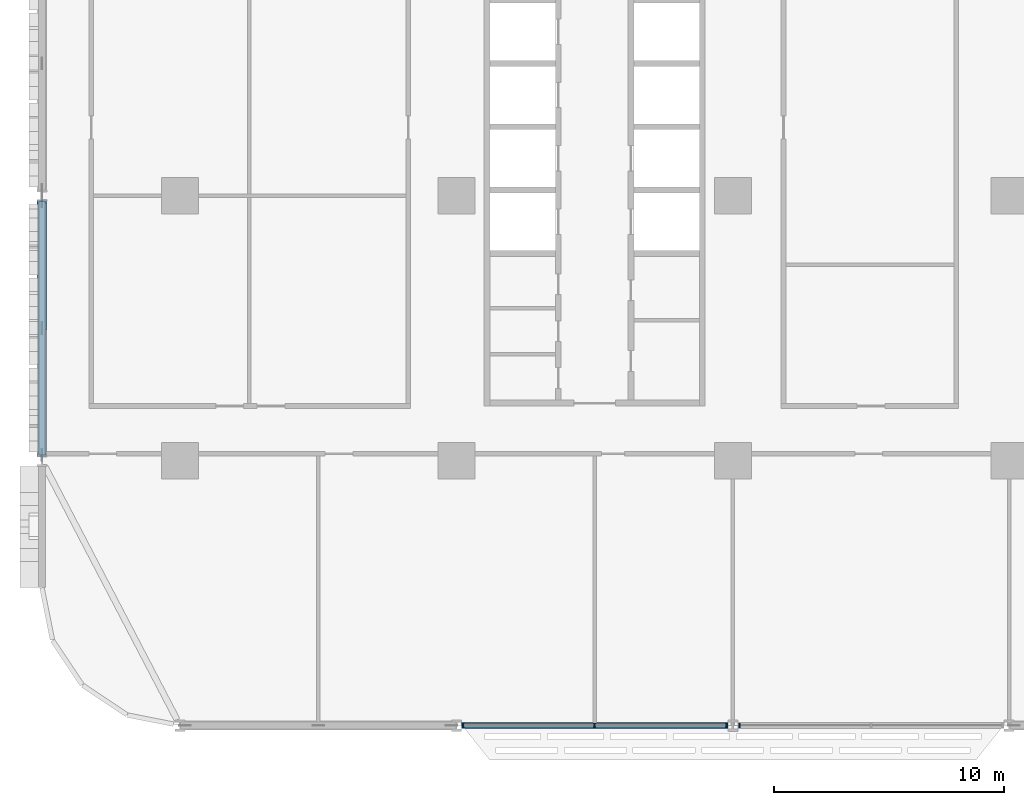
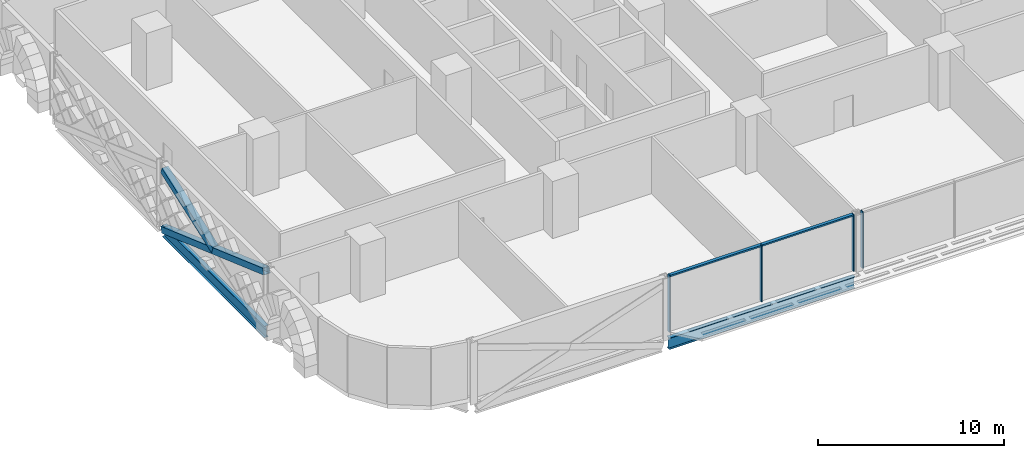
# One storey, part 2 of 29: 8 members, 2 beams, 2 elements without a shape of their own.
"""IFC4 building model written with IfcOpenShell, lengths in metres."""

from ifc_helpers import new_model, si_unit, direction, frame, origin, origin_2d, place, context, subcontext, project, spatial, rectangle, hollow_rectangle, i_section, extrude, material, material_profile, profile_set, type_object, element, aggregate, save


model = new_model("IFC4")

# Units and contexts
model_context = context("Model", 3, precision=1e-05, world=origin(), true_north=direction((0.0, 1.0)))
body_context = subcontext(model_context, "Body", "Model", "MODEL_VIEW")
ifc_project = project(units=[si_unit("LENGTHUNIT", "METRE"), si_unit("AREAUNIT", "SQUARE_METRE"), si_unit("VOLUMEUNIT", "CUBIC_METRE"), si_unit("PLANEANGLEUNIT", "RADIAN"), si_unit("MASSUNIT", "GRAM", prefix="KILO")], contexts=[model_context])

# Site, building, storey
site_placement = place(None, origin())
site = spatial("IfcSite", under=ifc_project, at=site_placement, CompositionType="ELEMENT")
building_placement = place(site_placement, origin())
building = spatial("IfcBuilding", under=site, at=building_placement, Name="Mahtab Terrace Research Tower", CompositionType="ELEMENT")
storey_placement = place(building_placement, frame((0.0, 0.0, 37.300048828125)))
storey = spatial("IfcBuildingStorey", under=building, at=storey_placement, Name="L08", CompositionType="ELEMENT", Elevation=37.300048828125)

# Members
ifc_material_1 = material(Name="Steel ASTM A500 Gr C", Category="steel")
ifc_material_profile_1 = material_profile(ifc_material_1, hollow_rectangle(XDim=0.406494140625, YDim=0.406494140625, WallThickness=0.01904296875, at=origin_2d()), Name="HSS16X16X3/4")
ifc_profile_set_1 = profile_set([ifc_material_profile_1], Name="Steel ASTM A500 Gr C")
member_type_1 = type_object("IfcMemberType", Name="HSS 16x16x3/4 brace XB161634", PredefinedType="BRACE", material=ifc_profile_set_1)
member_1_placement = place(storey_placement, frame((-48.0, -0.248779296875, -0.6298828125), z_axis=(0.0, -0.9421913705, 0.335075247304), x_axis=(1.0, 0.0, 0.0)))
element("IfcMember", 1, at=member_1_placement, inside=storey, type_object=member_type_1, Name="Exoskeleton brace L08 10 a", PredefinedType="BRACE", context=body_context, shape_type="SweptSolid", body=[
    extrude(hollow_rectangle(XDim=0.406494140625, YDim=0.406494140625, WallThickness=0.01904296875, at=origin_2d()), origin(), (0.0, 0.0, 1.0), 11.677490234375),
])
member_2_placement = place(storey_placement, frame((-48.0, -5.75, 1.326416015625), z_axis=(0.0, 0.942184769943, 0.335093806698), x_axis=(-1.0, 0.0, 0.0)))
element("IfcMember", 2, at=member_2_placement, inside=storey, type_object=member_type_1, Name="Exoskeleton brace L08 10 b2", PredefinedType="BRACE", context=body_context, shape_type="SweptSolid", body=[
    extrude(hollow_rectangle(XDim=0.406494140625, YDim=0.406494140625, WallThickness=0.01904296875, at=origin_2d()), origin(), (0.0, 0.0, 1.0), 5.8388671875),
])

# Curtain wall, members
ifc_material_2 = material(Name="Laboratory ribbon curtain wall")
curtain_wall_type = type_object("IfcCurtainWallType", Name="Laboratory ribbon curtain wall", PredefinedType="NOTDEFINED", material=ifc_material_2)
curtain_wall_1_placement = place(storey_placement, origin())
curtain_wall_1 = element("IfcCurtainWall", 3, at=curtain_wall_1_placement, inside=storey, type_object=curtain_wall_type, Name="EN.L08.13.23", PredefinedType="NOTDEFINED")
ifc_material_3 = material(Name="Natural anodised aluminium", Category="aluminium")
ifc_material_profile_2 = material_profile(ifc_material_3, rectangle(XDim=0.199951171875, YDim=0.06494140625, at=origin_2d()), Name="MULLION 65x200")
ifc_profile_set_2 = profile_set([ifc_material_profile_2], Name="Natural anodised aluminium")
member_type_2 = type_object("IfcMemberType", Name="Laboratory ribbon curtain wall mullion", PredefinedType="MULLION", material=ifc_profile_set_2)
member_3_placement = place(storey_placement, frame((-29.718505859375, -23.0, 0.0), z_axis=(0.0, 0.0, 1.0), x_axis=(0.0, 1.0, 0.0)))
member_3 = element("IfcMember", 4, at=member_3_placement, type_object=member_type_2, Name="CWL-1 mullion 1", PredefinedType="MULLION", context=body_context, shape_type="SweptSolid", body=[
    extrude(rectangle(XDim=0.199951171875, YDim=0.06494140625, at=origin_2d()), origin(), (0.0, 0.0, 1.0), 3.75),
])
member_4_placement = place(storey_placement, frame((-24.0, -23.0, 0.0), z_axis=(0.0, 0.0, 1.0), x_axis=(0.0, 1.0, 0.0)))
member_4 = element("IfcMember", 5, at=member_4_placement, type_object=member_type_2, Name="CWL-1 mullion 2", PredefinedType="MULLION", context=body_context, shape_type="SweptSolid", body=[
    extrude(rectangle(XDim=0.199951171875, YDim=0.06494140625, at=origin_2d()), origin(), (0.0, 0.0, 1.0), 3.75),
])
member_5_placement = place(storey_placement, frame((-18.281494140625, -23.0, 0.0), z_axis=(0.0, 0.0, 1.0), x_axis=(0.0, 1.0, 0.0)))
member_5 = element("IfcMember", 6, at=member_5_placement, type_object=member_type_2, Name="CWL-1 mullion 3", PredefinedType="MULLION", context=body_context, shape_type="SweptSolid", body=[
    extrude(rectangle(XDim=0.199951171875, YDim=0.06494140625, at=origin_2d()), origin(), (0.0, 0.0, 1.0), 3.75),
])

# Curtain wall, member
curtain_wall_2_placement = place(storey_placement, origin())
curtain_wall_2 = element("IfcCurtainWall", 7, at=curtain_wall_2_placement, inside=storey, type_object=curtain_wall_type, Name="EN.L08.13.24", PredefinedType="NOTDEFINED")
member_6_placement = place(storey_placement, frame((-17.718505859375, -23.0, 0.0), z_axis=(0.0, 0.0, 1.0), x_axis=(0.0, 1.0, 0.0)))
member_6 = element("IfcMember", 8, at=member_6_placement, type_object=member_type_2, Name="CWL-1 mullion 1", PredefinedType="MULLION", context=body_context, shape_type="SweptSolid", body=[
    extrude(rectangle(XDim=0.199951171875, YDim=0.06494140625, at=origin_2d()), origin(), (0.0, 0.0, 1.0), 3.75),
])
aggregate(curtain_wall_2, [member_6])

# Member
ifc_material_profile_3 = material_profile(ifc_material_3, rectangle(XDim=0.199951171875, YDim=0.10009765625, at=origin_2d()), Name="TRANSOM 100x200")
ifc_profile_set_3 = profile_set([ifc_material_profile_3], Name="Natural anodised aluminium")
member_type_3 = type_object("IfcMemberType", Name="Laboratory ribbon curtain wall transom", PredefinedType="USERDEFINED", material=ifc_profile_set_3)
member_7_placement = place(storey_placement, frame((-29.68603515625, -23.0, 3.699951171875), z_axis=(1.0, 0.0, 0.0), x_axis=(0.0, 1.0, 0.0)))
member_7 = element("IfcMember", 9, at=member_7_placement, type_object=member_type_3, Name="CWL-1 transom 1", ObjectType="TRANSOM", PredefinedType="USERDEFINED", context=body_context, shape_type="SweptSolid", body=[
    extrude(rectangle(XDim=0.199951171875, YDim=0.10009765625, at=origin_2d()), origin(), (0.0, 0.0, 1.0), 5.653564453125),
])

member_8_placement = place(storey_placement, frame((-23.967529296875, -23.0, 3.699951171875), z_axis=(1.0, 0.0, 0.0), x_axis=(0.0, 1.0, 0.0)))
member_8 = element("IfcMember", 10, at=member_8_placement, type_object=member_type_3, Name="CWL-1 transom 2", ObjectType="TRANSOM", PredefinedType="USERDEFINED", context=body_context, shape_type="SweptSolid", body=[
    extrude(rectangle(XDim=0.199951171875, YDim=0.10009765625, at=origin_2d()), origin(), (0.0, 0.0, 1.0), 5.653564453125),
])

aggregate(curtain_wall_1, [member_3, member_4, member_5, member_7, member_8])

# Beams
ifc_material_4 = material(Name="Steel ASTM A992 Gr 50", Category="steel")
ifc_material_profile_4 = material_profile(ifc_material_4, i_section(OverallWidth=0.2666015625, OverallDepth=0.7568359375, WebThickness=0.013916015625, FlangeThickness=0.019287109375, at=origin_2d()), Name="W30X108")
ifc_profile_set_4 = profile_set([ifc_material_profile_4], Name="Steel ASTM A992 Gr 50")
beam_type = type_object("IfcBeamType", Name="W30x108 beam BS30108", PredefinedType="BEAM", material=ifc_profile_set_4)
beam_1_placement = place(storey_placement, frame((-48.0, -0.248779296875, -0.718505859375), z_axis=(0.0, -1.0, 0.0), x_axis=(1.0, 0.0, 0.0)))
element("IfcBeam", 11, at=beam_1_placement, inside=storey, type_object=beam_type, Name="Spandrel beam L08 10", PredefinedType="BEAM", context=body_context, shape_type="SweptSolid", body=[
    extrude(i_section(OverallWidth=0.2666015625, OverallDepth=0.7568359375, WebThickness=0.013916015625, FlangeThickness=0.019287109375, at=origin_2d()), origin(), (0.0, 0.0, 1.0), 11.00244140625),
])
beam_2_placement = place(storey_placement, frame((-29.7841796875, -23.0, -0.718505859375), z_axis=(1.0, 0.0, 0.0), x_axis=(0.0, 1.0, 0.0)))
element("IfcBeam", 12, at=beam_2_placement, inside=storey, type_object=beam_type, Name="Spandrel beam L08 13", PredefinedType="BEAM", context=body_context, shape_type="SweptSolid", body=[
    extrude(i_section(OverallWidth=0.2666015625, OverallDepth=0.7568359375, WebThickness=0.013916015625, FlangeThickness=0.019287109375, at=origin_2d()), origin(), (0.0, 0.0, 1.0), 11.568359375),
])

save(model, "model.ifc")
